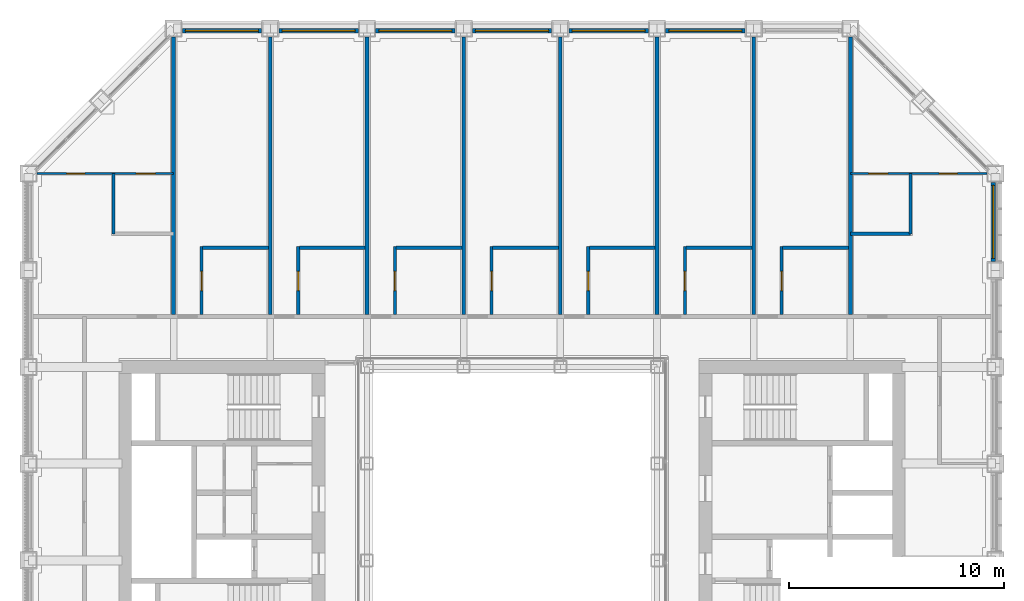
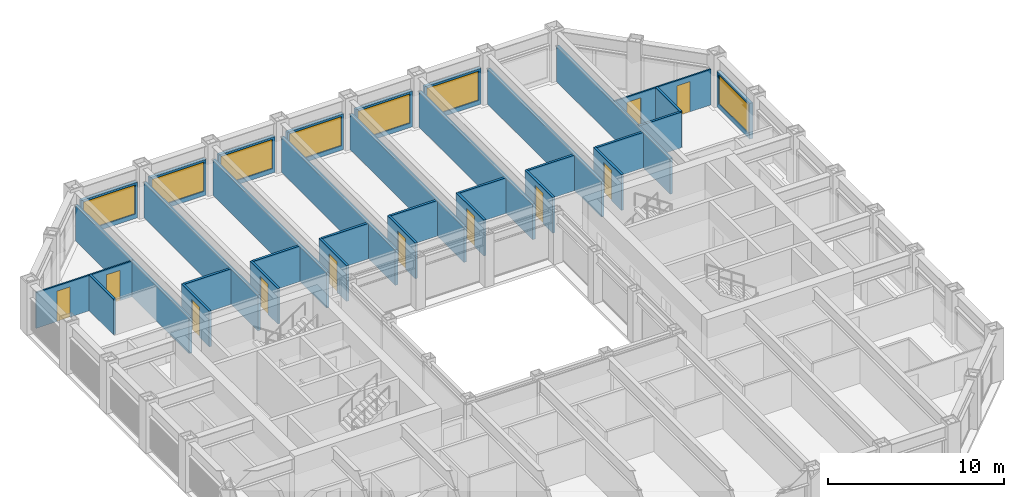
# One storey, part 14 of 18: 34 walls, 11 doors, 7 windows, 18 openings.
"""IFC4 building model written with IfcOpenShell, lengths in metres."""

from ifc_helpers import new_model, si_unit, direction, frame, frame_2d, origin, place, context, subcontext, project, spatial, rectangle, extrude, material, layer, layer_set, type_object, element, fill, save


model = new_model("IFC4")

# Units and contexts
model_context = context("Model", 3, precision=1e-05, world=origin(), true_north=direction((0.0, 1.0)))
body_context = subcontext(model_context, "Body", "Model", "MODEL_VIEW")
ifc_project = project(units=[si_unit("LENGTHUNIT", "METRE"), si_unit("AREAUNIT", "SQUARE_METRE"), si_unit("VOLUMEUNIT", "CUBIC_METRE"), si_unit("PLANEANGLEUNIT", "RADIAN"), si_unit("MASSUNIT", "GRAM", prefix="KILO")], contexts=[model_context])

# Site, building, storey
site_placement = place(None, origin())
site = spatial("IfcSite", under=ifc_project, at=site_placement, CompositionType="ELEMENT")
building_placement = place(site_placement, origin())
building = spatial("IfcBuilding", under=site, at=building_placement, Name="Msasa Ring Tower", CompositionType="ELEMENT")
storey_placement = place(building_placement, frame((0.0, 0.0, 118.39990234375)))
storey = spatial("IfcBuildingStorey", under=building, at=storey_placement, Name="L30", CompositionType="ELEMENT", Elevation=118.39990234375)

# Wall, opening, window
ifc_material_1 = material(Name="Terracotta rainscreen on blockwork", Category="masonry")
ifc_layer_1 = layer(ifc_material_1, 0.199951171875)
ifc_layer_set_1 = layer_set([ifc_layer_1], Name="FW1 TERRACOTTA-LINED INFILL BAY WALL 200")
wall_type_1 = type_object("IfcWallType", Name="FW1 TERRACOTTA-LINED INFILL BAY WALL 200", PredefinedType="SOLIDWALL", material=ifc_layer_set_1)
wall_1_placement = place(storey_placement, frame((22.39990234375, 11.655029296875, 0.0), z_axis=(0.0, 0.0, 1.0), x_axis=(0.0, 1.0, 0.0)))
wall_1 = element("IfcWall", 1, at=wall_1_placement, inside=storey, type_object=wall_type_1, Name="Infill bay wall E L30 15", PredefinedType="SOLIDWALL", context=body_context, shape_type="SweptSolid", body=[
    extrude(rectangle(XDim=3.68994140625, YDim=0.199951171875, at=frame_2d((1.844970703125, 0.0))), origin(), (0.0, 0.0, 1.0), 2.47900390625),
])
opening_1_placement = place(wall_1_placement, frame((0.14501953125, 0.0, 0.300048828125)))
opening_1 = element("IfcOpeningElement", 2, at=opening_1_placement, cuts=wall_1, Name="Opening WN2", PredefinedType="OPENING", context=body_context, shape_type="SweptSolid", body=[
    extrude(rectangle(XDim=3.39990234375, YDim=2.029052734375, at=frame_2d((1.699951171875, 1.0146484375))), frame((0.0, 0.10986328125, 0.0), z_axis=(0.0, -1.0, 0.0), x_axis=(1.0, 0.0, 0.0)), (0.0, 0.0, 1.0), 0.219970703125),
])
ifc_material_2 = material(Name="Aluminium frame with clear glass", Category="aluminium")
window_type = type_object("IfcWindowType", Name="WN2 GUEST ROOM WINDOW 3400x2029", PartitioningType="SINGLE_PANEL", PredefinedType="WINDOW", material=ifc_material_2)
window_1_placement = place(opening_1_placement, origin())
window_1 = element("IfcWindow", 3, at=window_1_placement, inside=storey, type_object=window_type, Name="Window E L30 15", OverallHeight=2.029052734375, OverallWidth=3.39990234375, PartitioningType="SINGLE_PANEL", PredefinedType="WINDOW", context=body_context, shape_type="SweptSolid", body=[
    extrude(rectangle(XDim=3.39990234375, YDim=2.029052734375, at=frame_2d((1.699951171875, 1.0146484375))), frame((0.0, 0.030029296875, 0.0), z_axis=(0.0, -1.0, 0.0), x_axis=(1.0, 0.0, 0.0)), (0.0, 0.0, 1.0), 0.06005859375),
])
fill(opening_1, window_1)

wall_2_placement = place(storey_placement, frame((-15.344970703125, 22.39990234375, 0.0), z_axis=(0.0, 0.0, 1.0), x_axis=(1.0, 0.0, 0.0)))
wall_2 = element("IfcWall", 4, at=wall_2_placement, inside=storey, type_object=wall_type_1, Name="Infill bay wall N L30 18", PredefinedType="SOLIDWALL", context=body_context, shape_type="SweptSolid", body=[
    extrude(rectangle(XDim=3.68994140625, YDim=0.199951171875, at=frame_2d((1.844970703125, 0.0))), origin(), (0.0, 0.0, 1.0), 2.47900390625),
])
opening_2_placement = place(wall_2_placement, frame((0.14501953125, 0.0, 0.300048828125)))
opening_2 = element("IfcOpeningElement", 5, at=opening_2_placement, cuts=wall_2, Name="Opening WN2", PredefinedType="OPENING", context=body_context, shape_type="SweptSolid", body=[
    extrude(rectangle(XDim=3.39990234375, YDim=2.029052734375, at=frame_2d((1.699951171875, 1.0146484375))), frame((0.0, 0.10986328125, 0.0), z_axis=(0.0, -1.0, 0.0), x_axis=(1.0, 0.0, 0.0)), (0.0, 0.0, 1.0), 0.219970703125),
])
window_2_placement = place(opening_2_placement, origin())
window_2 = element("IfcWindow", 6, at=window_2_placement, inside=storey, type_object=window_type, Name="Window N L30 18", OverallHeight=2.029052734375, OverallWidth=3.39990234375, PartitioningType="SINGLE_PANEL", PredefinedType="WINDOW", context=body_context, shape_type="SweptSolid", body=[
    extrude(rectangle(XDim=3.39990234375, YDim=2.029052734375, at=frame_2d((1.699951171875, 1.0146484375))), frame((0.0, 0.030029296875, 0.0), z_axis=(0.0, -1.0, 0.0), x_axis=(1.0, 0.0, 0.0)), (0.0, 0.0, 1.0), 0.06005859375),
])
fill(opening_2, window_2)

wall_3_placement = place(storey_placement, frame((-10.844970703125, 22.39990234375, 0.0), z_axis=(0.0, 0.0, 1.0), x_axis=(1.0, 0.0, 0.0)))
wall_3 = element("IfcWall", 7, at=wall_3_placement, inside=storey, type_object=wall_type_1, Name="Infill bay wall N L30 19", PredefinedType="SOLIDWALL", context=body_context, shape_type="SweptSolid", body=[
    extrude(rectangle(XDim=3.68994140625, YDim=0.199951171875, at=frame_2d((1.844970703125, 0.0))), origin(), (0.0, 0.0, 1.0), 2.47900390625),
])
opening_3_placement = place(wall_3_placement, frame((0.14501953125, 0.0, 0.300048828125)))
opening_3 = element("IfcOpeningElement", 8, at=opening_3_placement, cuts=wall_3, Name="Opening WN2", PredefinedType="OPENING", context=body_context, shape_type="SweptSolid", body=[
    extrude(rectangle(XDim=3.39990234375, YDim=2.029052734375, at=frame_2d((1.699951171875, 1.0146484375))), frame((0.0, 0.10986328125, 0.0), z_axis=(0.0, -1.0, 0.0), x_axis=(1.0, 0.0, 0.0)), (0.0, 0.0, 1.0), 0.219970703125),
])
window_3_placement = place(opening_3_placement, origin())
window_3 = element("IfcWindow", 9, at=window_3_placement, inside=storey, type_object=window_type, Name="Window N L30 19", OverallHeight=2.029052734375, OverallWidth=3.39990234375, PartitioningType="SINGLE_PANEL", PredefinedType="WINDOW", context=body_context, shape_type="SweptSolid", body=[
    extrude(rectangle(XDim=3.39990234375, YDim=2.029052734375, at=frame_2d((1.699951171875, 1.0146484375))), frame((0.0, 0.030029296875, 0.0), z_axis=(0.0, -1.0, 0.0), x_axis=(1.0, 0.0, 0.0)), (0.0, 0.0, 1.0), 0.06005859375),
])
fill(opening_3, window_3)

wall_4_placement = place(storey_placement, frame((-6.344970703125, 22.39990234375, 0.0), z_axis=(0.0, 0.0, 1.0), x_axis=(1.0, 0.0, 0.0)))
wall_4 = element("IfcWall", 10, at=wall_4_placement, inside=storey, type_object=wall_type_1, Name="Infill bay wall N L30 20", PredefinedType="SOLIDWALL", context=body_context, shape_type="SweptSolid", body=[
    extrude(rectangle(XDim=3.68994140625, YDim=0.199951171875, at=frame_2d((1.844970703125, 0.0))), origin(), (0.0, 0.0, 1.0), 2.47900390625),
])
opening_4_placement = place(wall_4_placement, frame((0.14501953125, 0.0, 0.300048828125)))
opening_4 = element("IfcOpeningElement", 11, at=opening_4_placement, cuts=wall_4, Name="Opening WN2", PredefinedType="OPENING", context=body_context, shape_type="SweptSolid", body=[
    extrude(rectangle(XDim=3.39990234375, YDim=2.029052734375, at=frame_2d((1.699951171875, 1.0146484375))), frame((0.0, 0.10986328125, 0.0), z_axis=(0.0, -1.0, 0.0), x_axis=(1.0, 0.0, 0.0)), (0.0, 0.0, 1.0), 0.219970703125),
])
window_4_placement = place(opening_4_placement, origin())
window_4 = element("IfcWindow", 12, at=window_4_placement, inside=storey, type_object=window_type, Name="Window N L30 20", OverallHeight=2.029052734375, OverallWidth=3.39990234375, PartitioningType="SINGLE_PANEL", PredefinedType="WINDOW", context=body_context, shape_type="SweptSolid", body=[
    extrude(rectangle(XDim=3.39990234375, YDim=2.029052734375, at=frame_2d((1.699951171875, 1.0146484375))), frame((0.0, 0.030029296875, 0.0), z_axis=(0.0, -1.0, 0.0), x_axis=(1.0, 0.0, 0.0)), (0.0, 0.0, 1.0), 0.06005859375),
])
fill(opening_4, window_4)

wall_5_placement = place(storey_placement, frame((-1.844970703125, 22.39990234375, 0.0), z_axis=(0.0, 0.0, 1.0), x_axis=(1.0, 0.0, 0.0)))
wall_5 = element("IfcWall", 13, at=wall_5_placement, inside=storey, type_object=wall_type_1, Name="Infill bay wall N L30 21", PredefinedType="SOLIDWALL", context=body_context, shape_type="SweptSolid", body=[
    extrude(rectangle(XDim=3.68994140625, YDim=0.199951171875, at=frame_2d((1.844970703125, 0.0))), origin(), (0.0, 0.0, 1.0), 2.47900390625),
])
opening_5_placement = place(wall_5_placement, frame((0.14501953125, 0.0, 0.300048828125)))
opening_5 = element("IfcOpeningElement", 14, at=opening_5_placement, cuts=wall_5, Name="Opening WN2", PredefinedType="OPENING", context=body_context, shape_type="SweptSolid", body=[
    extrude(rectangle(XDim=3.39990234375, YDim=2.029052734375, at=frame_2d((1.699951171875, 1.0146484375))), frame((0.0, 0.10986328125, 0.0), z_axis=(0.0, -1.0, 0.0), x_axis=(1.0, 0.0, 0.0)), (0.0, 0.0, 1.0), 0.219970703125),
])
window_5_placement = place(opening_5_placement, origin())
window_5 = element("IfcWindow", 15, at=window_5_placement, inside=storey, type_object=window_type, Name="Window N L30 21", OverallHeight=2.029052734375, OverallWidth=3.39990234375, PartitioningType="SINGLE_PANEL", PredefinedType="WINDOW", context=body_context, shape_type="SweptSolid", body=[
    extrude(rectangle(XDim=3.39990234375, YDim=2.029052734375, at=frame_2d((1.699951171875, 1.0146484375))), frame((0.0, 0.030029296875, 0.0), z_axis=(0.0, -1.0, 0.0), x_axis=(1.0, 0.0, 0.0)), (0.0, 0.0, 1.0), 0.06005859375),
])
fill(opening_5, window_5)

wall_6_placement = place(storey_placement, frame((2.655029296875, 22.39990234375, 0.0), z_axis=(0.0, 0.0, 1.0), x_axis=(1.0, 0.0, 0.0)))
wall_6 = element("IfcWall", 16, at=wall_6_placement, inside=storey, type_object=wall_type_1, Name="Infill bay wall N L30 22", PredefinedType="SOLIDWALL", context=body_context, shape_type="SweptSolid", body=[
    extrude(rectangle(XDim=3.68994140625, YDim=0.199951171875, at=frame_2d((1.844970703125, 0.0))), origin(), (0.0, 0.0, 1.0), 2.47900390625),
])
opening_6_placement = place(wall_6_placement, frame((0.14501953125, 0.0, 0.300048828125)))
opening_6 = element("IfcOpeningElement", 17, at=opening_6_placement, cuts=wall_6, Name="Opening WN2", PredefinedType="OPENING", context=body_context, shape_type="SweptSolid", body=[
    extrude(rectangle(XDim=3.39990234375, YDim=2.029052734375, at=frame_2d((1.699951171875, 1.0146484375))), frame((0.0, 0.10986328125, 0.0), z_axis=(0.0, -1.0, 0.0), x_axis=(1.0, 0.0, 0.0)), (0.0, 0.0, 1.0), 0.219970703125),
])
window_6_placement = place(opening_6_placement, origin())
window_6 = element("IfcWindow", 18, at=window_6_placement, inside=storey, type_object=window_type, Name="Window N L30 22", OverallHeight=2.029052734375, OverallWidth=3.39990234375, PartitioningType="SINGLE_PANEL", PredefinedType="WINDOW", context=body_context, shape_type="SweptSolid", body=[
    extrude(rectangle(XDim=3.39990234375, YDim=2.029052734375, at=frame_2d((1.699951171875, 1.0146484375))), frame((0.0, 0.030029296875, 0.0), z_axis=(0.0, -1.0, 0.0), x_axis=(1.0, 0.0, 0.0)), (0.0, 0.0, 1.0), 0.06005859375),
])
fill(opening_6, window_6)

wall_7_placement = place(storey_placement, frame((7.155029296875, 22.39990234375, 0.0), z_axis=(0.0, 0.0, 1.0), x_axis=(1.0, 0.0, 0.0)))
wall_7 = element("IfcWall", 19, at=wall_7_placement, inside=storey, type_object=wall_type_1, Name="Infill bay wall N L30 23", PredefinedType="SOLIDWALL", context=body_context, shape_type="SweptSolid", body=[
    extrude(rectangle(XDim=3.68994140625, YDim=0.199951171875, at=frame_2d((1.844970703125, 0.0))), origin(), (0.0, 0.0, 1.0), 2.47900390625),
])
opening_7_placement = place(wall_7_placement, frame((0.14501953125, 0.0, 0.300048828125)))
opening_7 = element("IfcOpeningElement", 20, at=opening_7_placement, cuts=wall_7, Name="Opening WN2", PredefinedType="OPENING", context=body_context, shape_type="SweptSolid", body=[
    extrude(rectangle(XDim=3.39990234375, YDim=2.029052734375, at=frame_2d((1.699951171875, 1.0146484375))), frame((0.0, 0.10986328125, 0.0), z_axis=(0.0, -1.0, 0.0), x_axis=(1.0, 0.0, 0.0)), (0.0, 0.0, 1.0), 0.219970703125),
])
window_7_placement = place(opening_7_placement, origin())
window_7 = element("IfcWindow", 21, at=window_7_placement, inside=storey, type_object=window_type, Name="Window N L30 23", OverallHeight=2.029052734375, OverallWidth=3.39990234375, PartitioningType="SINGLE_PANEL", PredefinedType="WINDOW", context=body_context, shape_type="SweptSolid", body=[
    extrude(rectangle(XDim=3.39990234375, YDim=2.029052734375, at=frame_2d((1.699951171875, 1.0146484375))), frame((0.0, 0.030029296875, 0.0), z_axis=(0.0, -1.0, 0.0), x_axis=(1.0, 0.0, 0.0)), (0.0, 0.0, 1.0), 0.06005859375),
])
fill(opening_7, window_7)

# Wall, openings, doors
ifc_material_3 = material(Name="Gypsum board on steel studs", Category="steel")
ifc_layer_2 = layer(ifc_material_3, 0.10009765625)
ifc_layer_set_2 = layer_set([ifc_layer_2], Name="PT2 STUD PARTITION 100")
wall_type_2 = type_object("IfcWallType", Name="PT2 STUD PARTITION 100", PredefinedType="PARTITIONING", material=ifc_layer_set_2)
wall_8_placement = place(storey_placement, frame((15.75, 15.75, 0.0), z_axis=(0.0, 0.0, 1.0), x_axis=(1.0, 0.0, 0.0)))
wall_8 = element("IfcWall", 22, at=wall_8_placement, inside=storey, type_object=wall_type_2, Name="Partition L30-CSNEX", PredefinedType="PARTITIONING", context=body_context, shape_type="SweptSolid", body=[
    extrude(rectangle(XDim=6.35009765625, YDim=0.10009765625, at=frame_2d((3.175048828125, 0.0))), origin(), (0.0, 0.0, 1.0), 2.473388671875),
])
opening_8_placement = place(wall_8_placement, frame((4.125, 0.0, 0.0)))
opening_8 = element("IfcOpeningElement", 23, at=opening_8_placement, cuts=wall_8, Name="Opening HA-004", PredefinedType="OPENING", context=body_context, shape_type="SweptSolid", body=[
    extrude(rectangle(XDim=0.85009765625, YDim=2.10009765625, at=frame_2d((0.425048828125, 1.050048828125))), frame((0.0, 0.06005859375, 0.0), z_axis=(0.0, -1.0, 0.0), x_axis=(1.0, 0.0, 0.0)), (0.0, 0.0, 1.0), 0.1201171875),
])
opening_9_placement = place(wall_8_placement, frame((0.85009765625, 0.0, 0.0)))
opening_9 = element("IfcOpeningElement", 24, at=opening_9_placement, cuts=wall_8, Name="Opening HA-003", PredefinedType="OPENING", context=body_context, shape_type="SweptSolid", body=[
    extrude(rectangle(XDim=0.89990234375, YDim=2.10009765625, at=frame_2d((0.449951171875, 1.050048828125))), frame((0.0, 0.06005859375, 0.0), z_axis=(0.0, -1.0, 0.0), x_axis=(1.0, 0.0, 0.0)), (0.0, 0.0, 1.0), 0.1201171875),
])
ifc_material_4 = material(Name="Timber door leaf in a steel frame", Category="steel")
door_type_1 = type_object("IfcDoorType", Name="D14 BEDROOM DOOR 850x2100", OperationType="SINGLE_SWING_LEFT", PredefinedType="DOOR", material=ifc_material_4)
door_1_placement = place(opening_8_placement, origin())
door_1 = element("IfcDoor", 25, at=door_1_placement, inside=storey, type_object=door_type_1, Name="Door L30-CSNER1", OperationType="SINGLE_SWING_RIGHT", OverallHeight=2.10009765625, OverallWidth=0.85009765625, PredefinedType="DOOR", context=body_context, shape_type="SweptSolid", body=[
    extrude(rectangle(XDim=0.85009765625, YDim=2.10009765625, at=frame_2d((0.425048828125, 1.050048828125))), frame((0.0, 0.02490234375, 0.0), z_axis=(0.0, -1.0, 0.0), x_axis=(1.0, 0.0, 0.0)), (0.0, 0.0, 1.0), 0.050048828125),
])
fill(opening_8, door_1)
ifc_material_5 = material(Name="Timber door leaf in a steel frame", Category="steel")
door_type_2 = type_object("IfcDoorType", Name="D3 BATHROOM DOOR 900x2100", OperationType="SINGLE_SWING_LEFT", PredefinedType="DOOR", material=ifc_material_5)
door_2_placement = place(opening_9_placement, origin())
door_2 = element("IfcDoor", 26, at=door_2_placement, inside=storey, type_object=door_type_2, Name="Door L30-CSNEB1", OperationType="SINGLE_SWING_LEFT", OverallHeight=2.10009765625, OverallWidth=0.89990234375, PredefinedType="DOOR", context=body_context, shape_type="SweptSolid", body=[
    extrude(rectangle(XDim=0.89990234375, YDim=2.10009765625, at=frame_2d((0.449951171875, 1.050048828125))), frame((0.0, 0.02490234375, 0.0), z_axis=(0.0, -1.0, 0.0), x_axis=(1.0, 0.0, 0.0)), (0.0, 0.0, 1.0), 0.050048828125),
])
fill(opening_9, door_2)

wall_9_placement = place(storey_placement, frame((-22.10009765625, 15.75, 0.0), z_axis=(0.0, 0.0, 1.0), x_axis=(1.0, 0.0, 0.0)))
wall_9 = element("IfcWall", 27, at=wall_9_placement, inside=storey, type_object=wall_type_2, Name="Partition L30-CSNWX", PredefinedType="PARTITIONING", context=body_context, shape_type="SweptSolid", body=[
    extrude(rectangle(XDim=6.35009765625, YDim=0.10009765625, at=frame_2d((3.175048828125, 0.0))), origin(), (0.0, 0.0, 1.0), 2.473388671875),
])
opening_10_placement = place(wall_9_placement, frame((1.375, 0.0, 0.0)))
opening_10 = element("IfcOpeningElement", 28, at=opening_10_placement, cuts=wall_9, Name="Opening HA-001", PredefinedType="OPENING", context=body_context, shape_type="SweptSolid", body=[
    extrude(rectangle(XDim=0.85009765625, YDim=2.10009765625, at=frame_2d((0.425048828125, 1.050048828125))), frame((0.0, 0.06005859375, 0.0), z_axis=(0.0, -1.0, 0.0), x_axis=(1.0, 0.0, 0.0)), (0.0, 0.0, 1.0), 0.1201171875),
])
opening_11_placement = place(wall_9_placement, frame((4.60009765625, 0.0, 0.0)))
opening_11 = element("IfcOpeningElement", 29, at=opening_11_placement, cuts=wall_9, Name="Opening HA-002", PredefinedType="OPENING", context=body_context, shape_type="SweptSolid", body=[
    extrude(rectangle(XDim=0.89990234375, YDim=2.10009765625, at=frame_2d((0.449951171875, 1.050048828125))), frame((0.0, 0.06005859375, 0.0), z_axis=(0.0, -1.0, 0.0), x_axis=(1.0, 0.0, 0.0)), (0.0, 0.0, 1.0), 0.1201171875),
])
door_3_placement = place(opening_10_placement, origin())
door_3 = element("IfcDoor", 30, at=door_3_placement, inside=storey, type_object=door_type_1, Name="Door L30-CSNWR1", OperationType="SINGLE_SWING_LEFT", OverallHeight=2.10009765625, OverallWidth=0.85009765625, PredefinedType="DOOR", context=body_context, shape_type="SweptSolid", body=[
    extrude(rectangle(XDim=0.85009765625, YDim=2.10009765625, at=frame_2d((0.425048828125, 1.050048828125))), frame((0.0, 0.02490234375, 0.0), z_axis=(0.0, -1.0, 0.0), x_axis=(1.0, 0.0, 0.0)), (0.0, 0.0, 1.0), 0.050048828125),
])
fill(opening_10, door_3)
door_4_placement = place(opening_11_placement, origin())
door_4 = element("IfcDoor", 31, at=door_4_placement, inside=storey, type_object=door_type_2, Name="Door L30-CSNWB1", OperationType="SINGLE_SWING_RIGHT", OverallHeight=2.10009765625, OverallWidth=0.89990234375, PredefinedType="DOOR", context=body_context, shape_type="SweptSolid", body=[
    extrude(rectangle(XDim=0.89990234375, YDim=2.10009765625, at=frame_2d((0.449951171875, 1.050048828125))), frame((0.0, 0.02490234375, 0.0), z_axis=(0.0, -1.0, 0.0), x_axis=(1.0, 0.0, 0.0)), (0.0, 0.0, 1.0), 0.050048828125),
])
fill(opening_11, door_4)

# Wall, opening, door
ifc_material_6 = material(Name="Moisture-resistant board on steel studs with a concealed cistern and pipe void, tiled", Category="steel")
ifc_layer_3 = layer(ifc_material_6, 0.14990234375)
ifc_layer_set_3 = layer_set([ifc_layer_3], Name="PT4 BATHROOM WET WALL 150")
wall_type_3 = type_object("IfcWallType", Name="PT4 BATHROOM WET WALL 150", PredefinedType="PARTITIONING", material=ifc_layer_set_3)
wall_10_placement = place(storey_placement, frame((-14.449951171875, 9.199951171875, 0.0), z_axis=(0.0, 0.0, 1.0), x_axis=(0.0, 1.0, 0.0)))
wall_10 = element("IfcWall", 32, at=wall_10_placement, inside=storey, type_object=wall_type_3, Name="Partition L30-GN00BX", PredefinedType="PARTITIONING", context=body_context, shape_type="SweptSolid", body=[
    extrude(rectangle(XDim=3.150146484375, YDim=0.14990234375, at=frame_2d((1.5751953125, 0.0))), origin(), (0.0, 0.0, 1.0), 2.473388671875),
])
opening_12_placement = place(wall_10_placement, frame((1.10009765625, 0.0, 0.0)))
opening_12 = element("IfcOpeningElement", 33, at=opening_12_placement, cuts=wall_10, Name="Opening HA-005", PredefinedType="OPENING", context=body_context, shape_type="SweptSolid", body=[
    extrude(rectangle(XDim=0.89990234375, YDim=2.10009765625, at=frame_2d((0.449951171875, 1.050048828125))), frame((0.0, 0.0849609375, 0.0), z_axis=(0.0, -1.0, 0.0), x_axis=(1.0, 0.0, 0.0)), (0.0, 0.0, 1.0), 0.169921875),
])
door_5_placement = place(opening_12_placement, origin())
door_5 = element("IfcDoor", 34, at=door_5_placement, inside=storey, type_object=door_type_2, Name="Door L30-GN00B", OperationType="SINGLE_SWING_LEFT", OverallHeight=2.10009765625, OverallWidth=0.89990234375, PredefinedType="DOOR", context=body_context, shape_type="SweptSolid", body=[
    extrude(rectangle(XDim=0.89990234375, YDim=2.10009765625, at=frame_2d((0.449951171875, 1.050048828125))), frame((0.0, 0.02490234375, 0.0), z_axis=(0.0, -1.0, 0.0), x_axis=(1.0, 0.0, 0.0)), (0.0, 0.0, 1.0), 0.050048828125),
])
fill(opening_12, door_5)

# Wall
wall_11_placement = place(storey_placement, frame((-14.39990234375, 12.300048828125, 0.0), z_axis=(0.0, 0.0, 1.0), x_axis=(1.0, 0.0, 0.0)))
element("IfcWall", 35, at=wall_11_placement, inside=storey, type_object=wall_type_3, Name="Partition L30-GN00BY", PredefinedType="PARTITIONING", context=body_context, shape_type="SweptSolid", body=[
    extrude(rectangle(XDim=3.0625, YDim=0.14990234375, at=frame_2d((1.53125, 0.0))), origin(), (0.0, 0.0, 1.0), 2.473388671875),
])

# Wall, opening, door
wall_12_placement = place(storey_placement, frame((-9.949951171875, 9.199951171875, 0.0), z_axis=(0.0, 0.0, 1.0), x_axis=(0.0, 1.0, 0.0)))
wall_12 = element("IfcWall", 36, at=wall_12_placement, inside=storey, type_object=wall_type_3, Name="Partition L30-GN01BX", PredefinedType="PARTITIONING", context=body_context, shape_type="SweptSolid", body=[
    extrude(rectangle(XDim=3.150146484375, YDim=0.14990234375, at=frame_2d((1.5751953125, 0.0))), origin(), (0.0, 0.0, 1.0), 2.473388671875),
])
opening_13_placement = place(wall_12_placement, frame((1.10009765625, 0.0, 0.0)))
opening_13 = element("IfcOpeningElement", 37, at=opening_13_placement, cuts=wall_12, Name="Opening HA-006", PredefinedType="OPENING", context=body_context, shape_type="SweptSolid", body=[
    extrude(rectangle(XDim=0.89990234375, YDim=2.10009765625, at=frame_2d((0.449951171875, 1.050048828125))), frame((0.0, 0.0849609375, 0.0), z_axis=(0.0, -1.0, 0.0), x_axis=(1.0, 0.0, 0.0)), (0.0, 0.0, 1.0), 0.169921875),
])
door_6_placement = place(opening_13_placement, origin())
door_6 = element("IfcDoor", 38, at=door_6_placement, inside=storey, type_object=door_type_2, Name="Door L30-GN01B", OperationType="SINGLE_SWING_LEFT", OverallHeight=2.10009765625, OverallWidth=0.89990234375, PredefinedType="DOOR", context=body_context, shape_type="SweptSolid", body=[
    extrude(rectangle(XDim=0.89990234375, YDim=2.10009765625, at=frame_2d((0.449951171875, 1.050048828125))), frame((0.0, 0.02490234375, 0.0), z_axis=(0.0, -1.0, 0.0), x_axis=(1.0, 0.0, 0.0)), (0.0, 0.0, 1.0), 0.050048828125),
])
fill(opening_13, door_6)

# Wall
wall_13_placement = place(storey_placement, frame((-9.89990234375, 12.300048828125, 0.0), z_axis=(0.0, 0.0, 1.0), x_axis=(1.0, 0.0, 0.0)))
element("IfcWall", 39, at=wall_13_placement, inside=storey, type_object=wall_type_3, Name="Partition L30-GN01BY", PredefinedType="PARTITIONING", context=body_context, shape_type="SweptSolid", body=[
    extrude(rectangle(XDim=3.0625, YDim=0.14990234375, at=frame_2d((1.53125, 0.0))), origin(), (0.0, 0.0, 1.0), 2.473388671875),
])

# Wall, opening, door
wall_14_placement = place(storey_placement, frame((-5.449951171875, 9.199951171875, 0.0), z_axis=(0.0, 0.0, 1.0), x_axis=(0.0, 1.0, 0.0)))
wall_14 = element("IfcWall", 40, at=wall_14_placement, inside=storey, type_object=wall_type_3, Name="Partition L30-GN02BX", PredefinedType="PARTITIONING", context=body_context, shape_type="SweptSolid", body=[
    extrude(rectangle(XDim=3.150146484375, YDim=0.14990234375, at=frame_2d((1.5751953125, 0.0))), origin(), (0.0, 0.0, 1.0), 2.473388671875),
])
opening_14_placement = place(wall_14_placement, frame((1.10009765625, 0.0, 0.0)))
opening_14 = element("IfcOpeningElement", 41, at=opening_14_placement, cuts=wall_14, Name="Opening HA-007", PredefinedType="OPENING", context=body_context, shape_type="SweptSolid", body=[
    extrude(rectangle(XDim=0.89990234375, YDim=2.10009765625, at=frame_2d((0.449951171875, 1.050048828125))), frame((0.0, 0.0849609375, 0.0), z_axis=(0.0, -1.0, 0.0), x_axis=(1.0, 0.0, 0.0)), (0.0, 0.0, 1.0), 0.169921875),
])
door_7_placement = place(opening_14_placement, origin())
door_7 = element("IfcDoor", 42, at=door_7_placement, inside=storey, type_object=door_type_2, Name="Door L30-GN02B", OperationType="SINGLE_SWING_LEFT", OverallHeight=2.10009765625, OverallWidth=0.89990234375, PredefinedType="DOOR", context=body_context, shape_type="SweptSolid", body=[
    extrude(rectangle(XDim=0.89990234375, YDim=2.10009765625, at=frame_2d((0.449951171875, 1.050048828125))), frame((0.0, 0.02490234375, 0.0), z_axis=(0.0, -1.0, 0.0), x_axis=(1.0, 0.0, 0.0)), (0.0, 0.0, 1.0), 0.050048828125),
])
fill(opening_14, door_7)

# Wall
wall_15_placement = place(storey_placement, frame((-5.39990234375, 12.300048828125, 0.0), z_axis=(0.0, 0.0, 1.0), x_axis=(1.0, 0.0, 0.0)))
element("IfcWall", 43, at=wall_15_placement, inside=storey, type_object=wall_type_3, Name="Partition L30-GN02BY", PredefinedType="PARTITIONING", context=body_context, shape_type="SweptSolid", body=[
    extrude(rectangle(XDim=3.0625, YDim=0.14990234375, at=frame_2d((1.53125, 0.0))), origin(), (0.0, 0.0, 1.0), 2.473388671875),
])

# Wall, opening, door
wall_16_placement = place(storey_placement, frame((-0.949951171875, 9.199951171875, 0.0), z_axis=(0.0, 0.0, 1.0), x_axis=(0.0, 1.0, 0.0)))
wall_16 = element("IfcWall", 44, at=wall_16_placement, inside=storey, type_object=wall_type_3, Name="Partition L30-GN03BX", PredefinedType="PARTITIONING", context=body_context, shape_type="SweptSolid", body=[
    extrude(rectangle(XDim=3.150146484375, YDim=0.14990234375, at=frame_2d((1.5751953125, 0.0))), origin(), (0.0, 0.0, 1.0), 2.473388671875),
])
opening_15_placement = place(wall_16_placement, frame((1.10009765625, 0.0, 0.0)))
opening_15 = element("IfcOpeningElement", 45, at=opening_15_placement, cuts=wall_16, Name="Opening HA-008", PredefinedType="OPENING", context=body_context, shape_type="SweptSolid", body=[
    extrude(rectangle(XDim=0.89990234375, YDim=2.10009765625, at=frame_2d((0.449951171875, 1.050048828125))), frame((0.0, 0.0849609375, 0.0), z_axis=(0.0, -1.0, 0.0), x_axis=(1.0, 0.0, 0.0)), (0.0, 0.0, 1.0), 0.169921875),
])
door_8_placement = place(opening_15_placement, origin())
door_8 = element("IfcDoor", 46, at=door_8_placement, inside=storey, type_object=door_type_2, Name="Door L30-GN03B", OperationType="SINGLE_SWING_LEFT", OverallHeight=2.10009765625, OverallWidth=0.89990234375, PredefinedType="DOOR", context=body_context, shape_type="SweptSolid", body=[
    extrude(rectangle(XDim=0.89990234375, YDim=2.10009765625, at=frame_2d((0.449951171875, 1.050048828125))), frame((0.0, 0.02490234375, 0.0), z_axis=(0.0, -1.0, 0.0), x_axis=(1.0, 0.0, 0.0)), (0.0, 0.0, 1.0), 0.050048828125),
])
fill(opening_15, door_8)

# Wall
wall_17_placement = place(storey_placement, frame((-0.89990234375, 12.300048828125, 0.0), z_axis=(0.0, 0.0, 1.0), x_axis=(1.0, 0.0, 0.0)))
element("IfcWall", 47, at=wall_17_placement, inside=storey, type_object=wall_type_3, Name="Partition L30-GN03BY", PredefinedType="PARTITIONING", context=body_context, shape_type="SweptSolid", body=[
    extrude(rectangle(XDim=3.0625, YDim=0.14990234375, at=frame_2d((1.53125, 0.0))), origin(), (0.0, 0.0, 1.0), 2.473388671875),
])

# Wall, opening, door
wall_18_placement = place(storey_placement, frame((3.550048828125, 9.199951171875, 0.0), z_axis=(0.0, 0.0, 1.0), x_axis=(0.0, 1.0, 0.0)))
wall_18 = element("IfcWall", 48, at=wall_18_placement, inside=storey, type_object=wall_type_3, Name="Partition L30-GN04BX", PredefinedType="PARTITIONING", context=body_context, shape_type="SweptSolid", body=[
    extrude(rectangle(XDim=3.150146484375, YDim=0.14990234375, at=frame_2d((1.5751953125, 0.0))), origin(), (0.0, 0.0, 1.0), 2.473388671875),
])
opening_16_placement = place(wall_18_placement, frame((1.10009765625, 0.0, 0.0)))
opening_16 = element("IfcOpeningElement", 49, at=opening_16_placement, cuts=wall_18, Name="Opening HA-009", PredefinedType="OPENING", context=body_context, shape_type="SweptSolid", body=[
    extrude(rectangle(XDim=0.89990234375, YDim=2.10009765625, at=frame_2d((0.449951171875, 1.050048828125))), frame((0.0, 0.0849609375, 0.0), z_axis=(0.0, -1.0, 0.0), x_axis=(1.0, 0.0, 0.0)), (0.0, 0.0, 1.0), 0.169921875),
])
door_9_placement = place(opening_16_placement, origin())
door_9 = element("IfcDoor", 50, at=door_9_placement, inside=storey, type_object=door_type_2, Name="Door L30-GN04B", OperationType="SINGLE_SWING_LEFT", OverallHeight=2.10009765625, OverallWidth=0.89990234375, PredefinedType="DOOR", context=body_context, shape_type="SweptSolid", body=[
    extrude(rectangle(XDim=0.89990234375, YDim=2.10009765625, at=frame_2d((0.449951171875, 1.050048828125))), frame((0.0, 0.02490234375, 0.0), z_axis=(0.0, -1.0, 0.0), x_axis=(1.0, 0.0, 0.0)), (0.0, 0.0, 1.0), 0.050048828125),
])
fill(opening_16, door_9)

# Wall
wall_19_placement = place(storey_placement, frame((3.60009765625, 12.300048828125, 0.0), z_axis=(0.0, 0.0, 1.0), x_axis=(1.0, 0.0, 0.0)))
element("IfcWall", 51, at=wall_19_placement, inside=storey, type_object=wall_type_3, Name="Partition L30-GN04BY", PredefinedType="PARTITIONING", context=body_context, shape_type="SweptSolid", body=[
    extrude(rectangle(XDim=3.0625, YDim=0.14990234375, at=frame_2d((1.53125, 0.0))), origin(), (0.0, 0.0, 1.0), 2.473388671875),
])

# Wall, opening, door
wall_20_placement = place(storey_placement, frame((8.050048828125, 9.199951171875, 0.0), z_axis=(0.0, 0.0, 1.0), x_axis=(0.0, 1.0, 0.0)))
wall_20 = element("IfcWall", 52, at=wall_20_placement, inside=storey, type_object=wall_type_3, Name="Partition L30-GN05BX", PredefinedType="PARTITIONING", context=body_context, shape_type="SweptSolid", body=[
    extrude(rectangle(XDim=3.150146484375, YDim=0.14990234375, at=frame_2d((1.5751953125, 0.0))), origin(), (0.0, 0.0, 1.0), 2.473388671875),
])
opening_17_placement = place(wall_20_placement, frame((1.10009765625, 0.0, 0.0)))
opening_17 = element("IfcOpeningElement", 53, at=opening_17_placement, cuts=wall_20, Name="Opening HA-010", PredefinedType="OPENING", context=body_context, shape_type="SweptSolid", body=[
    extrude(rectangle(XDim=0.89990234375, YDim=2.10009765625, at=frame_2d((0.449951171875, 1.050048828125))), frame((0.0, 0.0849609375, 0.0), z_axis=(0.0, -1.0, 0.0), x_axis=(1.0, 0.0, 0.0)), (0.0, 0.0, 1.0), 0.169921875),
])
door_10_placement = place(opening_17_placement, origin())
door_10 = element("IfcDoor", 54, at=door_10_placement, inside=storey, type_object=door_type_2, Name="Door L30-GN05B", OperationType="SINGLE_SWING_LEFT", OverallHeight=2.10009765625, OverallWidth=0.89990234375, PredefinedType="DOOR", context=body_context, shape_type="SweptSolid", body=[
    extrude(rectangle(XDim=0.89990234375, YDim=2.10009765625, at=frame_2d((0.449951171875, 1.050048828125))), frame((0.0, 0.02490234375, 0.0), z_axis=(0.0, -1.0, 0.0), x_axis=(1.0, 0.0, 0.0)), (0.0, 0.0, 1.0), 0.050048828125),
])
fill(opening_17, door_10)

# Wall
wall_21_placement = place(storey_placement, frame((8.10009765625, 12.300048828125, 0.0), z_axis=(0.0, 0.0, 1.0), x_axis=(1.0, 0.0, 0.0)))
element("IfcWall", 55, at=wall_21_placement, inside=storey, type_object=wall_type_3, Name="Partition L30-GN05BY", PredefinedType="PARTITIONING", context=body_context, shape_type="SweptSolid", body=[
    extrude(rectangle(XDim=3.0625, YDim=0.14990234375, at=frame_2d((1.53125, 0.0))), origin(), (0.0, 0.0, 1.0), 2.473388671875),
])

# Wall, opening, door
wall_22_placement = place(storey_placement, frame((12.550048828125, 9.199951171875, 0.0), z_axis=(0.0, 0.0, 1.0), x_axis=(0.0, 1.0, 0.0)))
wall_22 = element("IfcWall", 56, at=wall_22_placement, inside=storey, type_object=wall_type_3, Name="Partition L30-GN06BX", PredefinedType="PARTITIONING", context=body_context, shape_type="SweptSolid", body=[
    extrude(rectangle(XDim=3.150146484375, YDim=0.14990234375, at=frame_2d((1.5751953125, 0.0))), origin(), (0.0, 0.0, 1.0), 2.473388671875),
])
opening_18_placement = place(wall_22_placement, frame((1.10009765625, 0.0, 0.0)))
opening_18 = element("IfcOpeningElement", 57, at=opening_18_placement, cuts=wall_22, Name="Opening HA-011", PredefinedType="OPENING", context=body_context, shape_type="SweptSolid", body=[
    extrude(rectangle(XDim=0.89990234375, YDim=2.10009765625, at=frame_2d((0.449951171875, 1.050048828125))), frame((0.0, 0.0849609375, 0.0), z_axis=(0.0, -1.0, 0.0), x_axis=(1.0, 0.0, 0.0)), (0.0, 0.0, 1.0), 0.169921875),
])
door_11_placement = place(opening_18_placement, origin())
door_11 = element("IfcDoor", 58, at=door_11_placement, inside=storey, type_object=door_type_2, Name="Door L30-GN06B", OperationType="SINGLE_SWING_LEFT", OverallHeight=2.10009765625, OverallWidth=0.89990234375, PredefinedType="DOOR", context=body_context, shape_type="SweptSolid", body=[
    extrude(rectangle(XDim=0.89990234375, YDim=2.10009765625, at=frame_2d((0.449951171875, 1.050048828125))), frame((0.0, 0.02490234375, 0.0), z_axis=(0.0, -1.0, 0.0), x_axis=(1.0, 0.0, 0.0)), (0.0, 0.0, 1.0), 0.050048828125),
])
fill(opening_18, door_11)

# Walls
wall_23_placement = place(storey_placement, frame((12.60009765625, 12.300048828125, 0.0), z_axis=(0.0, 0.0, 1.0), x_axis=(1.0, 0.0, 0.0)))
element("IfcWall", 59, at=wall_23_placement, inside=storey, type_object=wall_type_3, Name="Partition L30-GN06BY", PredefinedType="PARTITIONING", context=body_context, shape_type="SweptSolid", body=[
    extrude(rectangle(XDim=3.0625, YDim=0.14990234375, at=frame_2d((1.53125, 0.0))), origin(), (0.0, 0.0, 1.0), 2.473388671875),
])
for number, where, z_axis, x_axis, name in (
    (60, (18.550048828125, 12.949951171875, 0.0), (0.0, 0.0, 1.0), (0.0, 1.0, 0.0), "Partition L30-CSNEBX"),
    (61, (15.75, 12.949951171875, 0.0), (0.0, 0.0, 1.0), (1.0, 0.0, 0.0), "Partition L30-CSNEBY"),
    (62, (-18.550048828125, 12.949951171875, 0.0), (0.0, 0.0, 1.0), (0.0, 1.0, 0.0), "Partition L30-CSNWBX"),
):
    element("IfcWall", number, at=place(storey_placement, frame(where, z_axis=z_axis, x_axis=x_axis)), inside=storey, type_object=wall_type_3, Name=name, PredefinedType="PARTITIONING", context=body_context, shape_type="SweptSolid", body=[
        extrude(rectangle(XDim=2.800048828125, YDim=0.14990234375, at=frame_2d((1.39990234375, 0.0))), origin(), (0.0, 0.0, 1.0), 2.473388671875),
    ])
ifc_material_7 = material(Name="Twin steel studs, two layers of acoustic board each face, mineral wool", Category="steel")
ifc_layer_4 = layer(ifc_material_7, 0.175048828125)
ifc_layer_set_4 = layer_set([ifc_layer_4], Name="PT5 GUEST ROOM SEPARATING WALL 175")
wall_type_4 = type_object("IfcWallType", Name="PT5 GUEST ROOM SEPARATING WALL 175", PredefinedType="PARTITIONING", material=ifc_layer_set_4)
for number, where, z_axis, x_axis, name in (
    (63, (-15.75, 9.199951171875, 0.0), (0.0, 0.0, 1.0), (0.0, 1.0, 0.0), "Partition L30-PWN-15.75"),
    (64, (-11.25, 9.199951171875, 0.0), (0.0, 0.0, 1.0), (0.0, 1.0, 0.0), "Partition L30-PWN-11.25"),
    (65, (-6.75, 9.199951171875, 0.0), (0.0, 0.0, 1.0), (0.0, 1.0, 0.0), "Partition L30-PWN-6.75"),
    (66, (-2.25, 9.199951171875, 0.0), (0.0, 0.0, 1.0), (0.0, 1.0, 0.0), "Partition L30-PWN-2.25"),
    (67, (2.25, 9.199951171875, 0.0), (0.0, 0.0, 1.0), (0.0, 1.0, 0.0), "Partition L30-PWN+2.25"),
    (68, (6.75, 9.199951171875, 0.0), (0.0, 0.0, 1.0), (0.0, 1.0, 0.0), "Partition L30-PWN+6.75"),
    (69, (11.25, 9.199951171875, 0.0), (0.0, 0.0, 1.0), (0.0, 1.0, 0.0), "Partition L30-PWN+11.25"),
    (70, (15.75, 9.199951171875, 0.0), (0.0, 0.0, 1.0), (0.0, 1.0, 0.0), "Partition L30-PWN+15.75"),
):
    element("IfcWall", number, at=place(storey_placement, frame(where, z_axis=z_axis, x_axis=x_axis)), inside=storey, type_object=wall_type_4, Name=name, PredefinedType="PARTITIONING", context=body_context, shape_type="SweptSolid", body=[
        extrude(rectangle(XDim=12.900146484375, YDim=0.175048828125, at=frame_2d((6.4501953125, 0.0))), origin(), (0.0, 0.0, 1.0), 2.473388671875),
    ])

save(model, "model.ifc")
